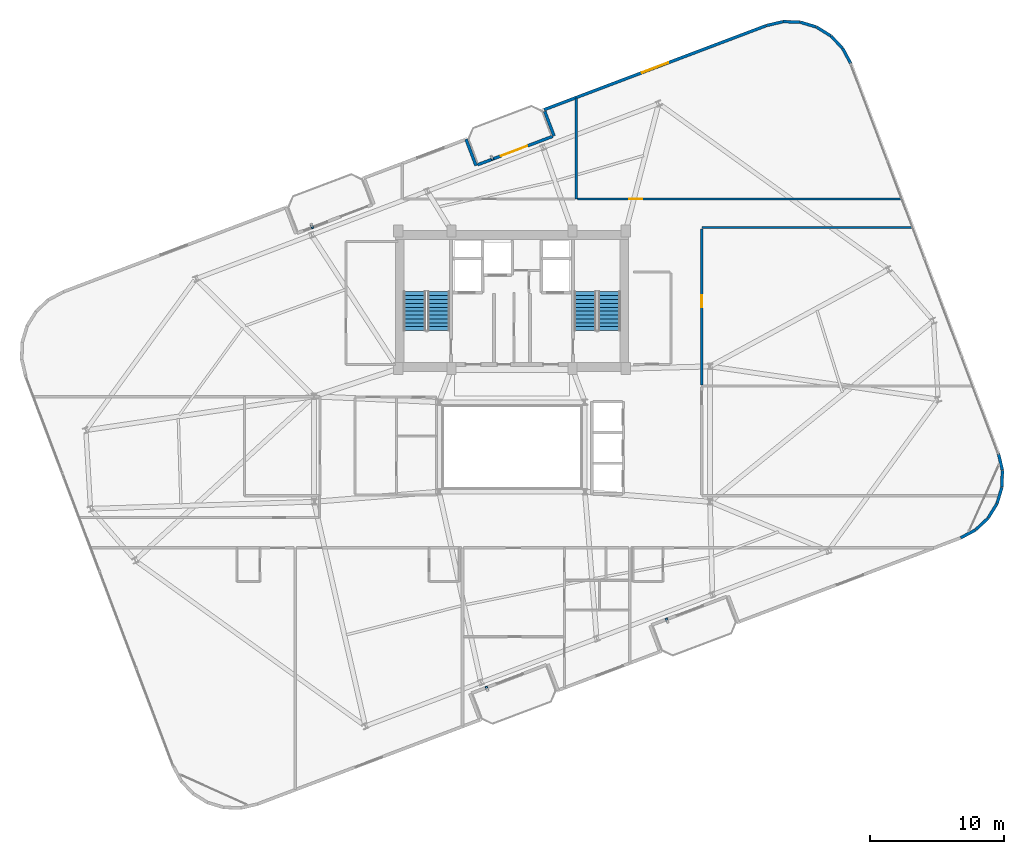
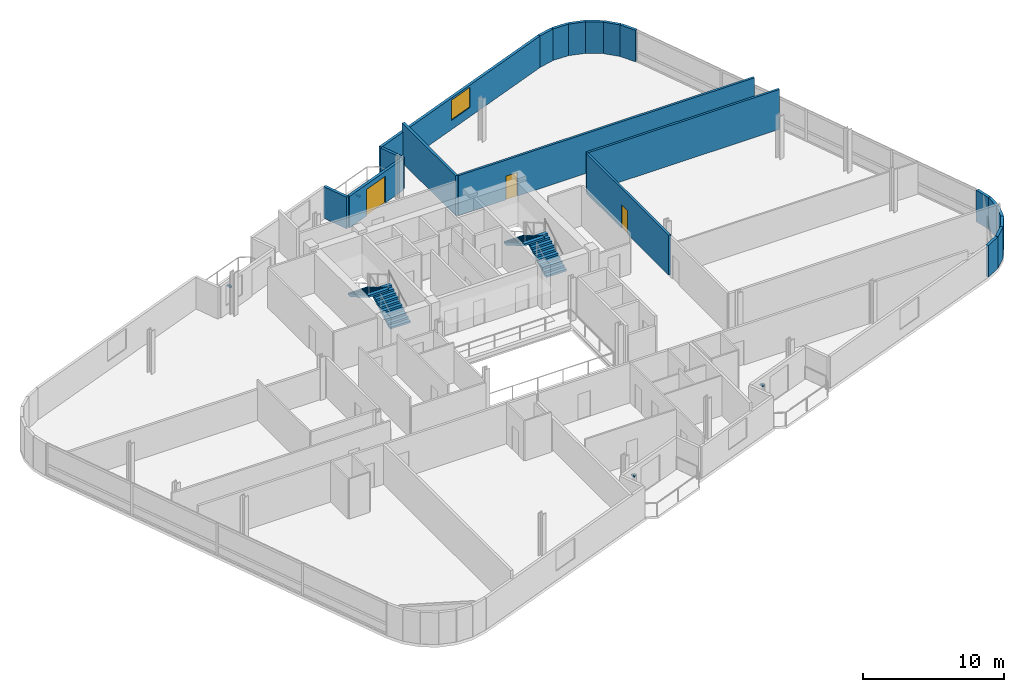
# One storey, part 21 of 23: 20 walls, 4 discrete accessories, 4 stair flights, 3 doors, 1 window, 4 openings, 2 elements without a shape of their own.
"""IFC4 building model written with IfcOpenShell, lengths in metres."""

from ifc_helpers import new_model, si_unit, direction, frame, frame_2d, origin, origin_2d, place, context, subcontext, project, spatial, polyline, rectangle, outline, extrude, source, transform, mapped, material, layer, layer_set, type_object, element, fill, aggregate, save


model = new_model("IFC4")

# Units and contexts
model_context = context("Model", 3, precision=1e-05, world=origin(), true_north=direction((0.0, 1.0)))
body_context = subcontext(model_context, "Body", "Model", "MODEL_VIEW")
ifc_project = project(units=[si_unit("LENGTHUNIT", "METRE"), si_unit("AREAUNIT", "SQUARE_METRE"), si_unit("VOLUMEUNIT", "CUBIC_METRE"), si_unit("PLANEANGLEUNIT", "RADIAN"), si_unit("MASSUNIT", "GRAM", prefix="KILO")], contexts=[model_context])

# Site, building, storey
site_placement = place(None, origin())
site = spatial("IfcSite", under=ifc_project, at=site_placement, CompositionType="ELEMENT")
building_placement = place(site_placement, origin())
building = spatial("IfcBuilding", under=site, at=building_placement, Name="Varnelok Gate Tower", CompositionType="ELEMENT")
storey_placement = place(building_placement, frame((0.0, 0.0, 227.5)))
storey = spatial("IfcBuildingStorey", under=building, at=storey_placement, Name="L58", CompositionType="ELEMENT", Elevation=227.5)

# Wall, opening, door
ifc_material_1 = material(Name="Concrete C45/55", Category="concrete")
ifc_layer_1 = layer(ifc_material_1, 0.219970703125)
ifc_layer_set_1 = layer_set([ifc_layer_1], Name="Concrete C45/55")
wall_type_1 = type_object("IfcWallType", Name="EW-BALC-220", PredefinedType="SOLIDWALL", material=ifc_layer_set_1)
wall_1_placement = place(storey_placement, frame((36.61669921875, 43.98583984375, 0.0), z_axis=(0.0, 0.0, 1.0), x_axis=(0.935227640088, 0.354046976001, 0.0)))
wall_1 = element("IfcWall", 1, at=wall_1_placement, inside=storey, type_object=wall_type_1, Name="L58 North Terrace Envelope Wall 4", PredefinedType="SOLIDWALL", context=body_context, shape_type="SweptSolid", body=[
    extrude(rectangle(XDim=6.0, YDim=0.219970703125, at=frame_2d((3.0, 0.0))), origin(), (0.0, 0.0, 1.0), 2.72998046875),
])
opening_1_placement = place(wall_1_placement, frame((1.887939453125, 0.0, 0.0)))
opening_1 = element("IfcOpeningElement", 2, at=opening_1_placement, cuts=wall_1, Name="Opening BD-2", PredefinedType="OPENING", context=body_context, shape_type="SweptSolid", body=[
    extrude(rectangle(XDim=2.10009765625, YDim=2.300048828125, at=frame_2d((1.050048828125, 1.14990234375))), frame((0.0, 0.119873046875, 0.0), z_axis=(0.0, -1.0, 0.0), x_axis=(1.0, 0.0, 0.0)), (0.0, 0.0, 1.0), 0.239990234375),
])
ifc_material_2 = material(Name="Anodized Aluminum Alloy 6063-T6", Category="aluminium")
door_type_1 = type_object("IfcDoorType", Name="DR-EXT-SLID2100", OperationType="SLIDING_TO_LEFT", PredefinedType="DOOR", material=ifc_material_2)
door_1_placement = place(opening_1_placement, origin())
door_1 = element("IfcDoor", 3, at=door_1_placement, inside=storey, type_object=door_type_1, Name="L58 North Balcony Glazed Door 4", OperationType="SLIDING_TO_LEFT", OverallHeight=2.300048828125, OverallWidth=2.10009765625, PredefinedType="DOOR", context=body_context, shape_type="SweptSolid", body=[
    extrude(rectangle(XDim=2.10009765625, YDim=2.300048828125, at=frame_2d((1.050048828125, 1.14990234375))), frame((0.0, 0.02490234375, 0.0), z_axis=(0.0, -1.0, 0.0), x_axis=(1.0, 0.0, 0.0)), (0.0, 0.0, 1.0), 0.050048828125),
])
fill(opening_1, door_1)

# Walls
wall_2_placement = place(storey_placement, frame((72.74560546875, 16.10498046875, 0.0), z_axis=(0.0, 0.0, 1.0), x_axis=(0.881112879796, 0.472906008693, 0.0)))
element("IfcWall", 4, at=wall_2_placement, inside=storey, type_object=wall_type_1, Name="L58 Perimeter Facade Closure Wall 14", PredefinedType="SOLIDWALL", context=body_context, shape_type="SweptSolid", body=[
    extrude(rectangle(XDim=1.256591796875, YDim=0.219970703125, at=frame_2d((0.62841796875, 0.0))), origin(), (0.0, 0.0, 1.0), 2.72998046875),
])
wall_3_placement = place(storey_placement, frame((73.870849609375, 16.716552734375, 0.0), z_axis=(0.0, 0.0, 1.0), x_axis=(0.728475443486, 0.685071914647, 0.0)))
element("IfcWall", 5, at=wall_3_placement, inside=storey, type_object=wall_type_1, Name="L58 Perimeter Facade Closure Wall 15", PredefinedType="SOLIDWALL", context=body_context, shape_type="SweptSolid", body=[
    extrude(rectangle(XDim=1.248779296875, YDim=0.219970703125, at=frame_2d((0.62451171875, 0.0))), origin(), (0.0, 0.0, 1.0), 2.72998046875),
])
for number, where, z_axis, x_axis, name in (
    (6, (74.793701171875, 17.59326171875, 0.0), (0.0, 0.0, 1.0), (0.526549805576, 0.850144283194, 0.0), "L58 Perimeter Facade Closure Wall 16"),
    (7, (75.458251953125, 18.6787109375, 0.0), (0.0, 0.0, 1.0), (0.288406081086, 0.957508189204, 0.0), "L58 Perimeter Facade Closure Wall 17"),
):
    element("IfcWall", number, at=place(storey_placement, frame(where, z_axis=z_axis, x_axis=x_axis)), inside=storey, type_object=wall_type_1, Name=name, PredefinedType="SOLIDWALL", context=body_context, shape_type="SweptSolid", body=[
        extrude(rectangle(XDim=1.24853515625, YDim=0.219970703125, at=frame_2d((0.624267578125, 0.0))), origin(), (0.0, 0.0, 1.0), 2.72998046875),
    ])
wall_4_placement = place(storey_placement, frame((75.819091796875, 19.8994140625, 0.0), z_axis=(0.0, 0.0, 1.0), x_axis=(0.030898954628, 0.999522513305, 0.0)))
element("IfcWall", 8, at=wall_4_placement, inside=storey, type_object=wall_type_1, Name="L58 Perimeter Facade Closure Wall 18", PredefinedType="SOLIDWALL", context=body_context, shape_type="SweptSolid", body=[
    extrude(rectangle(XDim=1.248291015625, YDim=0.219970703125, at=frame_2d((0.6240234375, 0.0))), origin(), (0.0, 0.0, 1.0), 2.72998046875),
])
wall_5_placement = place(storey_placement, frame((75.851806640625, 21.171630859375, 0.0), z_axis=(0.0, 0.0, 1.0), x_axis=(-0.228941257463, 0.973440239887, 0.0)))
element("IfcWall", 9, at=wall_5_placement, inside=storey, type_object=wall_type_1, Name="L58 Perimeter Facade Closure Wall 19", PredefinedType="SOLIDWALL", context=body_context, shape_type="SweptSolid", body=[
    extrude(rectangle(XDim=1.248779296875, YDim=0.219970703125, at=frame_2d((0.62451171875, 0.0))), origin(), (0.0, 0.0, 1.0), 2.72998046875),
])
wall_6_placement = place(storey_placement, frame((64.519287109375, 51.566162109375, 0.0), z_axis=(0.0, 0.0, 1.0), x_axis=(-0.473093575122, 0.881012184466, 0.0)))
element("IfcWall", 10, at=wall_6_placement, inside=storey, type_object=wall_type_1, Name="L58 Perimeter Facade Closure Wall 20", PredefinedType="SOLIDWALL", context=body_context, shape_type="SweptSolid", body=[
    extrude(rectangle(XDim=1.273681640625, YDim=0.219970703125, at=frame_2d((0.63671875, 0.0))), origin(), (0.0, 0.0, 1.0), 2.72998046875),
])
for number, where, z_axis, x_axis, name in (
    (11, (63.8994140625, 52.706298828125, 0.0), (0.0, 0.0, 1.0), (-0.684870565369, 0.728664743686, 0.0), "L58 Perimeter Facade Closure Wall 21"),
    (12, (63.02294921875, 53.629150390625, 0.0), (0.0, 0.0, 1.0), (-0.850198480006, 0.526462291712, 0.0), "L58 Perimeter Facade Closure Wall 22"),
):
    element("IfcWall", number, at=place(storey_placement, frame(where, z_axis=z_axis, x_axis=x_axis)), inside=storey, type_object=wall_type_1, Name=name, PredefinedType="SOLIDWALL", context=body_context, shape_type="SweptSolid", body=[
        extrude(rectangle(XDim=1.248779296875, YDim=0.219970703125, at=frame_2d((0.62451171875, 0.0))), origin(), (0.0, 0.0, 1.0), 2.72998046875),
    ])
for number, where, z_axis, x_axis, name in (
    (13, (61.937255859375, 54.293701171875, 0.0), (0.0, 0.0, 1.0), (-0.957508189204, 0.288406081086, 0.0), "L58 Perimeter Facade Closure Wall 23"),
    (14, (60.716796875, 54.65478515625, 0.0), (0.0, 0.0, 1.0), (-0.999528718359, 0.030697576053, 0.0), "L58 Perimeter Facade Closure Wall 24"),
):
    element("IfcWall", number, at=place(storey_placement, frame(where, z_axis=z_axis, x_axis=x_axis)), inside=storey, type_object=wall_type_1, Name=name, PredefinedType="SOLIDWALL", context=body_context, shape_type="SweptSolid", body=[
        extrude(rectangle(XDim=1.24853515625, YDim=0.219970703125, at=frame_2d((0.624267578125, 0.0))), origin(), (0.0, 0.0, 1.0), 2.72998046875),
    ])
wall_7_placement = place(storey_placement, frame((59.4443359375, 54.6875, 0.0), z_axis=(0.0, 0.0, 1.0), x_axis=(-0.973409523464, -0.229071821989, 0.0)))
element("IfcWall", 15, at=wall_7_placement, inside=storey, type_object=wall_type_1, Name="L58 Perimeter Facade Closure Wall 25", PredefinedType="SOLIDWALL", context=body_context, shape_type="SweptSolid", body=[
    extrude(rectangle(XDim=1.256591796875, YDim=0.219970703125, at=frame_2d((0.62841796875, 0.0))), origin(), (0.0, 0.0, 1.0), 2.72998046875),
])

# Wall, opening, window
wall_8_placement = place(storey_placement, frame((58.19775390625, 54.390869140625, 0.0), z_axis=(0.0, 0.0, 1.0), x_axis=(-0.935223849772, -0.354056988094, 0.0)))
wall_8 = element("IfcWall", 16, at=wall_8_placement, inside=storey, type_object=wall_type_1, Name="L58 Perimeter Facade Closure Wall 26", PredefinedType="SOLIDWALL", context=body_context, shape_type="SweptSolid", body=[
    extrude(rectangle(XDim=17.7470703125, YDim=0.219970703125, at=frame_2d((8.87353515625, 0.0))), origin(), (0.0, 0.0, 1.0), 2.72998046875),
])
opening_2_placement = place(wall_8_placement, frame((7.823486328125, 0.0, 0.800048828125)))
opening_2 = element("IfcOpeningElement", 17, at=opening_2_placement, cuts=wall_8, Name="Opening WN4", PredefinedType="OPENING", context=body_context, shape_type="SweptSolid", body=[
    extrude(rectangle(XDim=2.10009765625, YDim=1.75, at=frame_2d((1.050048828125, 0.875))), frame((0.0, 0.119873046875, 0.0), z_axis=(0.0, -1.0, 0.0), x_axis=(1.0, 0.0, 0.0)), (0.0, 0.0, 1.0), 0.239990234375),
])
ifc_material_3 = material(Name="Low-E Laminated Double Glazing IGU", Category="glass")
window_type = type_object("IfcWindowType", Name="WN-SUI-2100", PartitioningType="SINGLE_PANEL", PredefinedType="WINDOW", material=ifc_material_3)
window_placement = place(opening_2_placement, origin())
window = element("IfcWindow", 18, at=window_placement, inside=storey, type_object=window_type, Name="L58 Perimeter Vision Window 26", OverallHeight=1.75, OverallWidth=2.10009765625, PartitioningType="SINGLE_PANEL", PredefinedType="WINDOW", context=body_context, shape_type="SweptSolid", body=[
    extrude(rectangle(XDim=2.10009765625, YDim=1.75, at=frame_2d((1.050048828125, 0.875))), frame((0.0, 0.030029296875, 0.0), z_axis=(0.0, -1.0, 0.0), x_axis=(1.0, 0.0, 0.0)), (0.0, 0.0, 1.0), 0.06005859375),
])
fill(opening_2, window)

# Walls
wall_9_placement = place(storey_placement, frame((41.64453125, 47.990478515625, 0.0), z_axis=(0.0, 0.0, 1.0), x_axis=(0.354020680661, -0.935237594232, 0.0)))
element("IfcWall", 19, at=wall_9_placement, inside=storey, type_object=wall_type_1, Name="L58 Perimeter Facade Closure Wall 27", PredefinedType="SOLIDWALL", context=body_context, shape_type="SweptSolid", body=[
    extrude(rectangle(XDim=1.97509765625, YDim=0.219970703125, at=frame_2d((0.987548828125, 0.0))), origin(), (0.0, 0.0, 1.0), 2.72998046875),
])
wall_10_placement = place(storey_placement, frame((36.508056640625, 43.93408203125, 0.0), z_axis=(0.0, 0.0, 1.0), x_axis=(-0.354128469405, 0.935196785258, 0.0)))
element("IfcWall", 20, at=wall_10_placement, inside=storey, type_object=wall_type_1, Name="L58 Perimeter Facade Closure Wall 28", PredefinedType="SOLIDWALL", context=body_context, shape_type="SweptSolid", body=[
    extrude(rectangle(XDim=2.099853515625, YDim=0.219970703125, at=frame_2d((1.0498046875, 0.0))), origin(), (0.0, 0.0, 1.0), 2.72998046875),
])

# Wall, opening, door
ifc_material_4 = material(Name="Gypsum Plasterboard Acoustic Partition", Category="gypsum")
ifc_layer_2 = layer(ifc_material_4, 0.179931640625)
ifc_layer_set_2 = layer_set([ifc_layer_2], Name="Gypsum Plasterboard Acoustic Partition")
wall_type_2 = type_object("IfcWallType", Name="PW-CORR-180", PredefinedType="PARTITIONING", material=ifc_layer_set_2)
wall_11_placement = place(storey_placement, frame((44.080078125, 41.429931640625, 0.0), z_axis=(0.0, 0.0, 1.0), x_axis=(1.0, 0.0, 0.0)))
wall_11 = element("IfcWall", 21, at=wall_11_placement, inside=storey, type_object=wall_type_2, Name="Interior Partition", PredefinedType="PARTITIONING", context=body_context, shape_type="SweptSolid", body=[
    extrude(rectangle(XDim=24.21630859375, YDim=0.179931640625, at=frame_2d((12.108154296875, 0.0))), origin(), (0.0, 0.0, 1.0), 3.449951171875),
])
opening_3_placement = place(wall_11_placement, frame((3.89501953125, 0.0, 0.0)))
opening_3 = element("IfcOpeningElement", 22, at=opening_3_placement, cuts=wall_11, Name="Opening D-I2", PredefinedType="OPENING", context=body_context, shape_type="SweptSolid", body=[
    extrude(rectangle(XDim=0.949951171875, YDim=2.050048828125, at=frame_2d((0.47509765625, 1.02490234375))), frame((0.0, 0.099853515625, 0.0), z_axis=(0.0, -1.0, 0.0), x_axis=(1.0, 0.0, 0.0)), (0.0, 0.0, 1.0), 0.199951171875),
])
ifc_material_5 = material(Name="Engineered Hardwood Timber", Category="wood")
door_type_2 = type_object("IfcDoorType", Name="DR-INT-950", OperationType="NOTDEFINED", PredefinedType="DOOR", material=ifc_material_5)
door_2_placement = place(opening_3_placement, origin())
door_2 = element("IfcDoor", 23, at=door_2_placement, inside=storey, type_object=door_type_2, Name="L58 Hotel Business Center Door", OperationType="SINGLE_SWING_LEFT", OverallHeight=2.050048828125, OverallWidth=0.949951171875, PredefinedType="DOOR", context=body_context, shape_type="SweptSolid", body=[
    extrude(rectangle(XDim=0.949951171875, YDim=2.050048828125, at=frame_2d((0.47509765625, 1.02490234375))), frame((0.0, 0.02490234375, 0.0), z_axis=(0.0, -1.0, 0.0), x_axis=(1.0, 0.0, 0.0)), (0.0, 0.0, 1.0), 0.050048828125),
])
fill(opening_3, door_2)

wall_12_placement = place(storey_placement, frame((53.389892578125, 27.530029296875, 0.0), z_axis=(0.0, 0.0, 1.0), x_axis=(0.0, 1.0, 0.0)))
wall_12 = element("IfcWall", 24, at=wall_12_placement, inside=storey, type_object=wall_type_2, Name="Interior Partition", PredefinedType="PARTITIONING", context=body_context, shape_type="SweptSolid", body=[
    extrude(rectangle(XDim=11.669921875, YDim=0.179931640625, at=frame_2d((5.8349609375, 0.0))), origin(), (0.0, 0.0, 1.0), 3.449951171875),
])
opening_4_placement = place(wall_12_placement, frame((5.800048828125, 0.0, 0.0)))
opening_4 = element("IfcOpeningElement", 25, at=opening_4_placement, cuts=wall_12, Name="Opening D-I3", PredefinedType="OPENING", context=body_context, shape_type="SweptSolid", body=[
    extrude(rectangle(XDim=0.919921875, YDim=2.050048828125, at=frame_2d((0.4599609375, 1.02490234375))), frame((0.0, 0.099853515625, 0.0), z_axis=(0.0, -1.0, 0.0), x_axis=(1.0, 0.0, 0.0)), (0.0, 0.0, 1.0), 0.199951171875),
])
door_type_3 = type_object("IfcDoorType", Name="DR-INT-920", OperationType="NOTDEFINED", PredefinedType="DOOR", material=ifc_material_5)
door_3_placement = place(opening_4_placement, origin())
door_3 = element("IfcDoor", 26, at=door_3_placement, inside=storey, type_object=door_type_3, Name="L58 East Suite 2 Door", OperationType="SINGLE_SWING_RIGHT", OverallHeight=2.050048828125, OverallWidth=0.919921875, PredefinedType="DOOR", context=body_context, shape_type="SweptSolid", body=[
    extrude(rectangle(XDim=0.919921875, YDim=2.050048828125, at=frame_2d((0.4599609375, 1.02490234375))), frame((0.0, 0.02490234375, 0.0), z_axis=(0.0, -1.0, 0.0), x_axis=(1.0, 0.0, 0.0)), (0.0, 0.0, 1.0), 0.050048828125),
])
fill(opening_4, door_3)

# Walls
wall_13_placement = place(storey_placement, frame((53.389892578125, 39.300048828125, 0.0), z_axis=(0.0, 0.0, 1.0), x_axis=(1.0, 0.0, 0.0)))
element("IfcWall", 27, at=wall_13_placement, inside=storey, type_object=wall_type_2, Name="Interior Partition", PredefinedType="PARTITIONING", context=body_context, shape_type="SweptSolid", body=[
    extrude(rectangle(XDim=15.712890625, YDim=0.179931640625, at=frame_2d((7.8564453125, 0.0))), origin(), (0.0, 0.0, 1.0), 3.449951171875),
])
ifc_layer_3 = layer(ifc_material_4, 0.205078125)
ifc_layer_set_3 = layer_set([ifc_layer_3], Name="Gypsum Plasterboard Acoustic Partition")
wall_type_3 = type_object("IfcWallType", Name="PW-PARTY-200", PredefinedType="PARTITIONING", material=ifc_layer_set_3)
wall_14_placement = place(storey_placement, frame((44.0, 41.429931640625, 0.0), z_axis=(0.0, 0.0, 1.0), x_axis=(0.0, 1.0, 0.0)))
element("IfcWall", 28, at=wall_14_placement, inside=storey, type_object=wall_type_3, Name="L58 North Party Wall 2", PredefinedType="PARTITIONING", context=body_context, shape_type="SweptSolid", body=[
    extrude(rectangle(XDim=7.564453125, YDim=0.205078125, at=frame_2d((3.7822265625, 0.0))), origin(), (0.0, 0.0, 1.0), 3.449951171875),
])

# Stair, stair flights
ifc_material_6 = material(Name="Concrete C50/60", Category="concrete")
stair_type = type_object("IfcStairType", Name="STR-CORE-1650", PredefinedType="HALF_TURN_STAIR", material=ifc_material_6)
stair_1_placement = place(storey_placement, origin())
stair_1 = element("IfcStair", 29, at=stair_1_placement, inside=storey, type_object=stair_type, Name="L58 Exit Stair ST-1", PredefinedType="HALF_TURN_STAIR")
stair_flight_type = type_object("IfcStairFlightType", Name="SFL-CORE-1650", PredefinedType="STRAIGHT", material=ifc_material_6)
stair_flight_1_placement = place(storey_placement, frame((33.72509765625, 31.60009765625, 0.0), z_axis=(0.0, 0.0, 1.0), x_axis=(0.0, 1.0, 0.0)))
stair_flight_1 = element("IfcStairFlight", 30, at=stair_flight_1_placement, type_object=stair_flight_type, Name="ST-1 flight 1", NumberOfRisers=11, NumberOfTreads=10, PredefinedType="STRAIGHT", RiserHeight=0.168181818, TreadLength=0.29, context=body_context, shape_type="SweptSolid", body=[
    extrude(outline(polyline([(0.0, 0.0), (0.0, 0.168212890625), (0.2900390625, 0.168212890625), (0.2900390625, 0.33642578125), (0.580078125, 0.33642578125), (0.580078125, 0.504638671875), (0.8701171875, 0.504638671875), (0.8701171875, 0.672607421875), (1.159912109375, 0.672607421875), (1.159912109375, 0.8408203125), (1.449951171875, 0.8408203125), (1.449951171875, 1.009033203125), (1.739990234375, 1.009033203125), (1.739990234375, 1.17724609375), (2.030029296875, 1.17724609375), (2.030029296875, 1.345458984375), (2.320068359375, 1.345458984375), (2.320068359375, 1.513671875), (2.610107421875, 1.513671875), (2.610107421875, 1.681884765625), (2.89990234375, 1.681884765625), (2.89990234375, 1.85009765625), (2.89990234375, 1.508544921875), (0.298828125, 0.0), (0.0, 0.0)])), frame((0.0, 0.824951171875, 0.0), z_axis=(0.0, -1.0, 0.0), x_axis=(1.0, 0.0, 0.0)), (0.0, 0.0, 1.0), 1.64990234375),
])
stair_flight_2_placement = place(storey_placement, frame((31.925048828125, 34.5, 1.85009765625), z_axis=(0.0, 0.0, 1.0), x_axis=(0.0, -1.0, 0.0)))
stair_flight_2 = element("IfcStairFlight", 31, at=stair_flight_2_placement, type_object=stair_flight_type, Name="ST-1 flight 2", NumberOfRisers=11, NumberOfTreads=10, PredefinedType="STRAIGHT", RiserHeight=0.168181818, TreadLength=0.29, context=body_context, shape_type="SweptSolid", body=[
    extrude(outline(polyline([(0.0, 0.0), (0.0, 0.168212890625), (0.2900390625, 0.168212890625), (0.2900390625, 0.33642578125), (0.580078125, 0.33642578125), (0.580078125, 0.504638671875), (0.8701171875, 0.504638671875), (0.8701171875, 0.672607421875), (1.159912109375, 0.672607421875), (1.159912109375, 0.8408203125), (1.449951171875, 0.8408203125), (1.449951171875, 1.009033203125), (1.739990234375, 1.009033203125), (1.739990234375, 1.17724609375), (2.030029296875, 1.17724609375), (2.030029296875, 1.345458984375), (2.320068359375, 1.345458984375), (2.320068359375, 1.513671875), (2.610107421875, 1.513671875), (2.610107421875, 1.681884765625), (2.89990234375, 1.681884765625), (2.89990234375, 1.85009765625), (2.89990234375, 1.508544921875), (0.298828125, 0.0), (0.0, 0.0)])), frame((0.0, 0.824951171875, 0.0), z_axis=(0.0, -1.0, 0.0), x_axis=(1.0, 0.0, 0.0)), (0.0, 0.0, 1.0), 1.64990234375),
])
aggregate(stair_1, [stair_flight_1, stair_flight_2])

stair_2_placement = place(storey_placement, origin())
stair_2 = element("IfcStair", 32, at=stair_2_placement, inside=storey, type_object=stair_type, Name="L58 Exit Stair ST-2", PredefinedType="HALF_TURN_STAIR")
stair_flight_3_placement = place(storey_placement, frame((46.47509765625, 31.60009765625, 0.0), z_axis=(0.0, 0.0, 1.0), x_axis=(0.0, 1.0, 0.0)))
stair_flight_3 = element("IfcStairFlight", 33, at=stair_flight_3_placement, type_object=stair_flight_type, Name="ST-2 flight 1", NumberOfRisers=11, NumberOfTreads=10, PredefinedType="STRAIGHT", RiserHeight=0.168181818, TreadLength=0.29, context=body_context, shape_type="SweptSolid", body=[
    extrude(outline(polyline([(0.0, 0.0), (0.0, 0.168212890625), (0.2900390625, 0.168212890625), (0.2900390625, 0.33642578125), (0.580078125, 0.33642578125), (0.580078125, 0.504638671875), (0.8701171875, 0.504638671875), (0.8701171875, 0.672607421875), (1.159912109375, 0.672607421875), (1.159912109375, 0.8408203125), (1.449951171875, 0.8408203125), (1.449951171875, 1.009033203125), (1.739990234375, 1.009033203125), (1.739990234375, 1.17724609375), (2.030029296875, 1.17724609375), (2.030029296875, 1.345458984375), (2.320068359375, 1.345458984375), (2.320068359375, 1.513671875), (2.610107421875, 1.513671875), (2.610107421875, 1.681884765625), (2.89990234375, 1.681884765625), (2.89990234375, 1.85009765625), (2.89990234375, 1.508544921875), (0.298828125, 0.0), (0.0, 0.0)])), frame((0.0, 0.824951171875, 0.0), z_axis=(0.0, -1.0, 0.0), x_axis=(1.0, 0.0, 0.0)), (0.0, 0.0, 1.0), 1.64990234375),
])
stair_flight_4_placement = place(storey_placement, frame((44.675048828125, 34.5, 1.85009765625), z_axis=(0.0, 0.0, 1.0), x_axis=(0.0, -1.0, 0.0)))
stair_flight_4 = element("IfcStairFlight", 34, at=stair_flight_4_placement, type_object=stair_flight_type, Name="ST-2 flight 2", NumberOfRisers=11, NumberOfTreads=10, PredefinedType="STRAIGHT", RiserHeight=0.168181818, TreadLength=0.29, context=body_context, shape_type="SweptSolid", body=[
    extrude(outline(polyline([(0.0, 0.0), (0.0, 0.168212890625), (0.2900390625, 0.168212890625), (0.2900390625, 0.33642578125), (0.580078125, 0.33642578125), (0.580078125, 0.504638671875), (0.8701171875, 0.504638671875), (0.8701171875, 0.672607421875), (1.159912109375, 0.672607421875), (1.159912109375, 0.8408203125), (1.449951171875, 0.8408203125), (1.449951171875, 1.009033203125), (1.739990234375, 1.009033203125), (1.739990234375, 1.17724609375), (2.030029296875, 1.17724609375), (2.030029296875, 1.345458984375), (2.320068359375, 1.345458984375), (2.320068359375, 1.513671875), (2.610107421875, 1.513671875), (2.610107421875, 1.681884765625), (2.89990234375, 1.681884765625), (2.89990234375, 1.85009765625), (2.89990234375, 1.508544921875), (0.298828125, 0.0), (0.0, 0.0)])), frame((0.0, 0.824951171875, 0.0), z_axis=(0.0, -1.0, 0.0), x_axis=(1.0, 0.0, 0.0)), (0.0, 0.0, 1.0), 1.64990234375),
])
aggregate(stair_2, [stair_flight_3, stair_flight_4])

# Discrete accessories
ifc_material_7 = material(Name="Structural Steel ASTM A500 Grade C", Category="steel")
discrete_accessory_type = type_object("IfcDiscreteAccessoryType", Name="ACC-BAGUETTE-BRK", PredefinedType="BRACKET", material=ifc_material_7)
shared_shape = source(origin(), body_context, "Body", "SweptSolid", [
    extrude(rectangle(XDim=0.159912109375, YDim=0.340087890625, at=origin_2d()), origin(), (0.0, 0.0, 1.0), 0.139892578125),
])
for number, where, z_axis, x_axis, name in (
    (35, (37.322509765625, 4.83984375, 1.97998046875), (0.0, 0.0, 1.0), (0.935221751401, 0.354062530786, 0.0), "L58 Terracotta Baguette Bracket 1.1"),
    (36, (50.789794921875, 9.9384765625, 1.97998046875), (0.0, 0.0, 1.0), (0.935221751401, 0.354062530786, 0.0), "L58 Terracotta Baguette Bracket 2.1"),
    (37, (24.243408203125, 39.386962890625, 1.97998046875), (0.0, 0.0, 1.0), (0.935221751401, 0.354062530786, 0.0), "L58 Terracotta Baguette Bracket 3.1"),
    (38, (37.710693359375, 44.485595703125, 1.97998046875), (0.0, 0.0, 1.0), (0.935221751401, 0.354062530786, 0.0), "L58 Terracotta Baguette Bracket 4.1"),
):
    element("IfcDiscreteAccessory", number, at=place(storey_placement, frame(where, z_axis=z_axis, x_axis=x_axis)), inside=storey, type_object=discrete_accessory_type, Name=name, PredefinedType="BRACKET", context=body_context, shape_type="MappedRepresentation", body=[
        mapped(shared_shape, transform((0.0, 0.0, 0.0), scale=1.0)),
    ])

save(model, "model.ifc")
